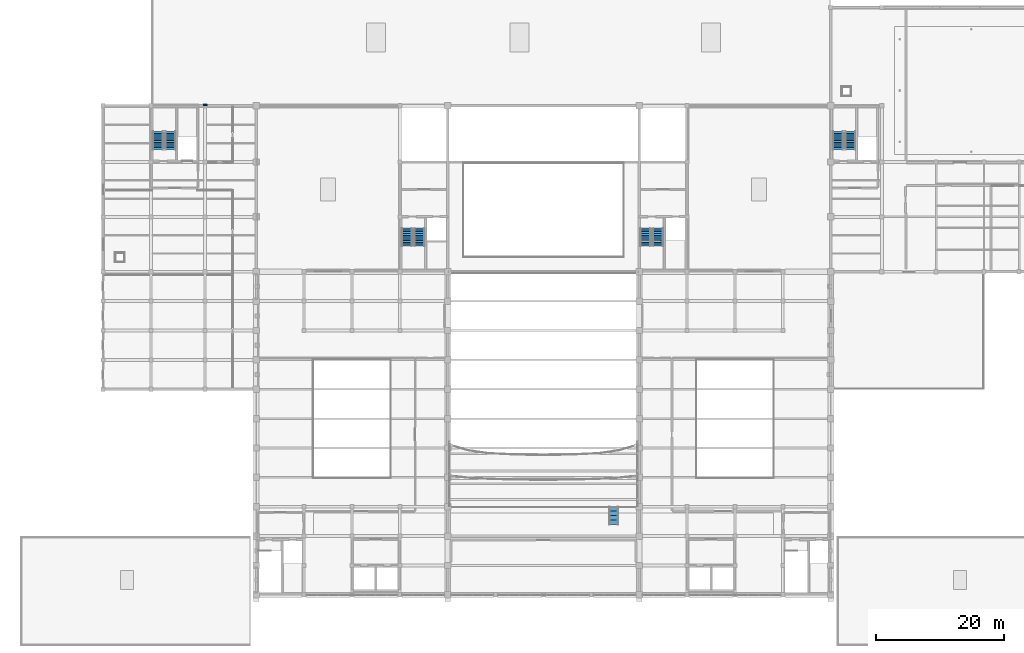
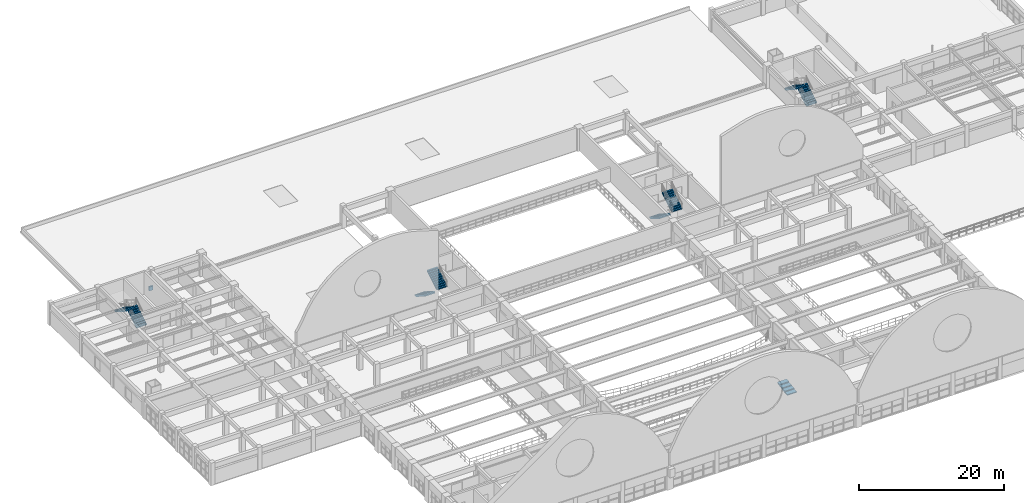
# One storey, part 63 of 74: 9 stair flights, 1 wall, 5 elements without a shape of their own.
"""IFC4 building model written with IfcOpenShell, lengths in metres."""

from ifc_helpers import new_model, si_unit, direction, frame, frame_2d, origin, place, context, subcontext, project, spatial, polyline, rectangle, outline, extrude, material, layer, layer_set, type_object, element, aggregate, save


model = new_model("IFC4")

# Units and contexts
model_context = context("Model", 3, precision=1e-05, world=origin(), true_north=direction((0.0, 1.0)))
body_context = subcontext(model_context, "Body", "Model", "MODEL_VIEW")
ifc_project = project(units=[si_unit("LENGTHUNIT", "METRE"), si_unit("AREAUNIT", "SQUARE_METRE"), si_unit("VOLUMEUNIT", "CUBIC_METRE"), si_unit("PLANEANGLEUNIT", "RADIAN"), si_unit("MASSUNIT", "GRAM", prefix="KILO")], contexts=[model_context])

# Site, building, storey
site_placement = place(None, origin())
site = spatial("IfcSite", under=ifc_project, at=site_placement, CompositionType="ELEMENT")
building_placement = place(site_placement, origin())
building = spatial("IfcBuilding", under=site, at=building_placement, Name="Muzn Square Opera House", CompositionType="ELEMENT")
storey_placement = place(building_placement, frame((0.0, 0.0, 14.199951171875)))
storey = spatial("IfcBuildingStorey", under=building, at=storey_placement, Name="L03", CompositionType="ELEMENT", Elevation=14.199951171875)

# Wall
ifc_material_1 = material(Name="Precast concrete C40/50", Category="concrete")
ifc_layer = layer(ifc_material_1, 0.239990234375, Name="Precast concrete C40/50", Category="concrete")
ifc_layer_set = layer_set([ifc_layer], Name="Precast concrete C40/50")
wall_type = type_object("IfcWallType", Name="Roof Parapet Wall 240mm", PredefinedType="PARAPET", material=ifc_layer_set)
wall_placement = place(storey_placement, frame((34.695068359375, 98.75, 0.0), z_axis=(0.0, 0.0, 1.0), x_axis=(1.0, 0.0, 0.0)))
element("IfcWall", 1, at=wall_placement, inside=storey, type_object=wall_type, Name="Roof Parapet ROOF-L03-REAR-S", PredefinedType="PARAPET", context=body_context, shape_type="SweptSolid", body=[
    extrude(rectangle(XDim=0.60986328125, YDim=0.239990234375, at=frame_2d((0.304931640625, 0.0))), origin(), (0.0, 0.0, 1.0), 0.650146484375),
])

# Stair, stair flights
ifc_material_2 = material(Name="Concrete C40/50", Category="concrete")
stair_type_1 = type_object("IfcStairType", Name="Core Escape Dogleg Stair", PredefinedType="HALF_TURN_STAIR", material=ifc_material_2)
stair_1_placement = place(storey_placement, origin())
stair_1 = element("IfcStair", 2, at=stair_1_placement, inside=storey, type_object=stair_type_1, Name="L03 Escape Stair ST-1", PredefinedType="HALF_TURN_STAIR")
stair_flight_type_1 = type_object("IfcStairFlightType", Name="Core Stair Flight 1660mm", PredefinedType="STRAIGHT", material=ifc_material_2)
stair_flight_1_placement = place(storey_placement, frame((66.6298828125, 79.43994140625, 0.0), z_axis=(0.0, 0.0, 1.0), x_axis=(0.0, -1.0, 0.0)))
stair_flight_1 = element("IfcStairFlight", 3, at=stair_flight_1_placement, type_object=stair_flight_type_1, Name="ST-1 flight 1", NumberOfRisers=11, NumberOfTreads=10, PredefinedType="STRAIGHT", RiserHeight=0.172727273, TreadLength=0.28, context=body_context, shape_type="SweptSolid", body=[
    extrude(outline(polyline([(0.0, 0.0), (0.0, 0.172607421875), (0.280029296875, 0.172607421875), (0.280029296875, 0.345458984375), (0.56005859375, 0.345458984375), (0.56005859375, 0.51806640625), (0.840087890625, 0.51806640625), (0.840087890625, 0.69091796875), (1.1201171875, 0.69091796875), (1.1201171875, 0.863525390625), (1.39990234375, 0.863525390625), (1.39990234375, 1.036376953125), (1.679931640625, 1.036376953125), (1.679931640625, 1.208984375), (1.9599609375, 1.208984375), (1.9599609375, 1.3818359375), (2.239990234375, 1.3818359375), (2.239990234375, 1.554443359375), (2.52001953125, 1.554443359375), (2.52001953125, 1.727294921875), (2.800048828125, 1.727294921875), (2.800048828125, 1.89990234375), (2.800048828125, 1.515869140625), (0.3427734375, 0.0), (0.0, 0.0)])), frame((0.0, 0.830078125, 0.0), z_axis=(0.0, -1.0, 0.0), x_axis=(1.0, 0.0, 0.0)), (0.0, 0.0, 1.0), 1.659912109375),
])
stair_flight_2_placement = place(storey_placement, frame((68.570068359375, 76.639892578125, 1.900146484375), z_axis=(0.0, 0.0, 1.0), x_axis=(0.0, 1.0, 0.0)))
stair_flight_2 = element("IfcStairFlight", 4, at=stair_flight_2_placement, type_object=stair_flight_type_1, Name="ST-1 flight 2", NumberOfRisers=11, NumberOfTreads=10, PredefinedType="STRAIGHT", RiserHeight=0.172727273, TreadLength=0.28, context=body_context, shape_type="SweptSolid", body=[
    extrude(outline(polyline([(0.0, 0.0), (0.0, 0.172607421875), (0.280029296875, 0.172607421875), (0.280029296875, 0.345458984375), (0.56005859375, 0.345458984375), (0.56005859375, 0.51806640625), (0.840087890625, 0.51806640625), (0.840087890625, 0.69091796875), (1.1201171875, 0.69091796875), (1.1201171875, 0.863525390625), (1.39990234375, 0.863525390625), (1.39990234375, 1.036376953125), (1.679931640625, 1.036376953125), (1.679931640625, 1.208984375), (1.9599609375, 1.208984375), (1.9599609375, 1.3818359375), (2.239990234375, 1.3818359375), (2.239990234375, 1.554443359375), (2.52001953125, 1.554443359375), (2.52001953125, 1.727294921875), (2.800048828125, 1.727294921875), (2.800048828125, 1.89990234375), (2.800048828125, 1.515869140625), (0.3427734375, 0.0), (0.0, 0.0)])), frame((0.0, 0.830078125, 0.0), z_axis=(0.0, -1.0, 0.0), x_axis=(1.0, 0.0, 0.0)), (0.0, 0.0, 1.0), 1.659912109375),
])
aggregate(stair_1, [stair_flight_1, stair_flight_2])

stair_2_placement = place(storey_placement, origin())
stair_2 = element("IfcStair", 5, at=stair_2_placement, inside=storey, type_object=stair_type_1, Name="L03 Escape Stair ST-2", PredefinedType="HALF_TURN_STAIR")
stair_flight_3_placement = place(storey_placement, frame((104.0, 79.43994140625, 0.0), z_axis=(0.0, 0.0, 1.0), x_axis=(0.0, -1.0, 0.0)))
stair_flight_3 = element("IfcStairFlight", 6, at=stair_flight_3_placement, type_object=stair_flight_type_1, Name="ST-2 flight 1", NumberOfRisers=11, NumberOfTreads=10, PredefinedType="STRAIGHT", RiserHeight=0.172727273, TreadLength=0.28, context=body_context, shape_type="SweptSolid", body=[
    extrude(outline(polyline([(0.0, 0.0), (0.0, 0.172607421875), (0.280029296875, 0.172607421875), (0.280029296875, 0.345458984375), (0.56005859375, 0.345458984375), (0.56005859375, 0.51806640625), (0.840087890625, 0.51806640625), (0.840087890625, 0.69091796875), (1.1201171875, 0.69091796875), (1.1201171875, 0.863525390625), (1.39990234375, 0.863525390625), (1.39990234375, 1.036376953125), (1.679931640625, 1.036376953125), (1.679931640625, 1.208984375), (1.9599609375, 1.208984375), (1.9599609375, 1.3818359375), (2.239990234375, 1.3818359375), (2.239990234375, 1.554443359375), (2.52001953125, 1.554443359375), (2.52001953125, 1.727294921875), (2.800048828125, 1.727294921875), (2.800048828125, 1.89990234375), (2.800048828125, 1.515869140625), (0.3427734375, 0.0), (0.0, 0.0)])), frame((0.0, 0.830078125, 0.0), z_axis=(0.0, -1.0, 0.0), x_axis=(1.0, 0.0, 0.0)), (0.0, 0.0, 1.0), 1.659912109375),
])
stair_flight_4_placement = place(storey_placement, frame((105.93994140625, 76.639892578125, 1.900146484375), z_axis=(0.0, 0.0, 1.0), x_axis=(0.0, 1.0, 0.0)))
stair_flight_4 = element("IfcStairFlight", 7, at=stair_flight_4_placement, type_object=stair_flight_type_1, Name="ST-2 flight 2", NumberOfRisers=11, NumberOfTreads=10, PredefinedType="STRAIGHT", RiserHeight=0.172727273, TreadLength=0.28, context=body_context, shape_type="SweptSolid", body=[
    extrude(outline(polyline([(0.0, 0.0), (0.0, 0.172607421875), (0.280029296875, 0.172607421875), (0.280029296875, 0.345458984375), (0.56005859375, 0.345458984375), (0.56005859375, 0.51806640625), (0.840087890625, 0.51806640625), (0.840087890625, 0.69091796875), (1.1201171875, 0.69091796875), (1.1201171875, 0.863525390625), (1.39990234375, 0.863525390625), (1.39990234375, 1.036376953125), (1.679931640625, 1.036376953125), (1.679931640625, 1.208984375), (1.9599609375, 1.208984375), (1.9599609375, 1.3818359375), (2.239990234375, 1.3818359375), (2.239990234375, 1.554443359375), (2.52001953125, 1.554443359375), (2.52001953125, 1.727294921875), (2.800048828125, 1.727294921875), (2.800048828125, 1.89990234375), (2.800048828125, 1.515869140625), (0.3427734375, 0.0), (0.0, 0.0)])), frame((0.0, 0.830078125, 0.0), z_axis=(0.0, -1.0, 0.0), x_axis=(1.0, 0.0, 0.0)), (0.0, 0.0, 1.0), 1.659912109375),
])
aggregate(stair_2, [stair_flight_3, stair_flight_4])

stair_3_placement = place(storey_placement, origin())
stair_3 = element("IfcStair", 8, at=stair_3_placement, inside=storey, type_object=stair_type_1, Name="L03 Escape Stair ST-5", PredefinedType="HALF_TURN_STAIR")
stair_flight_5_placement = place(storey_placement, frame((136.070068359375, 91.760009765625, 0.0), z_axis=(0.0, 0.0, 1.0), x_axis=(0.0, 1.0, 0.0)))
stair_flight_5 = element("IfcStairFlight", 9, at=stair_flight_5_placement, type_object=stair_flight_type_1, Name="ST-5 flight 1", NumberOfRisers=11, NumberOfTreads=10, PredefinedType="STRAIGHT", RiserHeight=0.172727273, TreadLength=0.28, context=body_context, shape_type="SweptSolid", body=[
    extrude(outline(polyline([(0.0, 0.0), (0.0, 0.172607421875), (0.280029296875, 0.172607421875), (0.280029296875, 0.345458984375), (0.56005859375, 0.345458984375), (0.56005859375, 0.51806640625), (0.840087890625, 0.51806640625), (0.840087890625, 0.69091796875), (1.1201171875, 0.69091796875), (1.1201171875, 0.863525390625), (1.39990234375, 0.863525390625), (1.39990234375, 1.036376953125), (1.679931640625, 1.036376953125), (1.679931640625, 1.208984375), (1.9599609375, 1.208984375), (1.9599609375, 1.3818359375), (2.239990234375, 1.3818359375), (2.239990234375, 1.554443359375), (2.52001953125, 1.554443359375), (2.52001953125, 1.727294921875), (2.800048828125, 1.727294921875), (2.800048828125, 1.89990234375), (2.800048828125, 1.515869140625), (0.3427734375, 0.0), (0.0, 0.0)])), frame((0.0, 0.830078125, 0.0), z_axis=(0.0, -1.0, 0.0), x_axis=(1.0, 0.0, 0.0)), (0.0, 0.0, 1.0), 1.659912109375),
])
stair_flight_6_placement = place(storey_placement, frame((134.1298828125, 94.56005859375, 1.900146484375), z_axis=(0.0, 0.0, 1.0), x_axis=(0.0, -1.0, 0.0)))
stair_flight_6 = element("IfcStairFlight", 10, at=stair_flight_6_placement, type_object=stair_flight_type_1, Name="ST-5 flight 2", NumberOfRisers=11, NumberOfTreads=10, PredefinedType="STRAIGHT", RiserHeight=0.172727273, TreadLength=0.28, context=body_context, shape_type="SweptSolid", body=[
    extrude(outline(polyline([(0.0, 0.0), (0.0, 0.172607421875), (0.280029296875, 0.172607421875), (0.280029296875, 0.345458984375), (0.56005859375, 0.345458984375), (0.56005859375, 0.51806640625), (0.840087890625, 0.51806640625), (0.840087890625, 0.69091796875), (1.1201171875, 0.69091796875), (1.1201171875, 0.863525390625), (1.39990234375, 0.863525390625), (1.39990234375, 1.036376953125), (1.679931640625, 1.036376953125), (1.679931640625, 1.208984375), (1.9599609375, 1.208984375), (1.9599609375, 1.3818359375), (2.239990234375, 1.3818359375), (2.239990234375, 1.554443359375), (2.52001953125, 1.554443359375), (2.52001953125, 1.727294921875), (2.800048828125, 1.727294921875), (2.800048828125, 1.89990234375), (2.800048828125, 1.515869140625), (0.3427734375, 0.0), (0.0, 0.0)])), frame((0.0, 0.830078125, 0.0), z_axis=(0.0, -1.0, 0.0), x_axis=(1.0, 0.0, 0.0)), (0.0, 0.0, 1.0), 1.659912109375),
])
aggregate(stair_3, [stair_flight_5, stair_flight_6])

stair_4_placement = place(storey_placement, origin())
stair_4 = element("IfcStair", 11, at=stair_4_placement, inside=storey, type_object=stair_type_1, Name="L03 Escape Stair ST-6", PredefinedType="HALF_TURN_STAIR")
stair_flight_7_placement = place(storey_placement, frame((29.570068359375, 91.760009765625, 0.0), z_axis=(0.0, 0.0, 1.0), x_axis=(0.0, 1.0, 0.0)))
stair_flight_7 = element("IfcStairFlight", 12, at=stair_flight_7_placement, type_object=stair_flight_type_1, Name="ST-6 flight 1", NumberOfRisers=11, NumberOfTreads=10, PredefinedType="STRAIGHT", RiserHeight=0.172727273, TreadLength=0.28, context=body_context, shape_type="SweptSolid", body=[
    extrude(outline(polyline([(0.0, 0.0), (0.0, 0.172607421875), (0.280029296875, 0.172607421875), (0.280029296875, 0.345458984375), (0.56005859375, 0.345458984375), (0.56005859375, 0.51806640625), (0.840087890625, 0.51806640625), (0.840087890625, 0.69091796875), (1.1201171875, 0.69091796875), (1.1201171875, 0.863525390625), (1.39990234375, 0.863525390625), (1.39990234375, 1.036376953125), (1.679931640625, 1.036376953125), (1.679931640625, 1.208984375), (1.9599609375, 1.208984375), (1.9599609375, 1.3818359375), (2.239990234375, 1.3818359375), (2.239990234375, 1.554443359375), (2.52001953125, 1.554443359375), (2.52001953125, 1.727294921875), (2.800048828125, 1.727294921875), (2.800048828125, 1.89990234375), (2.800048828125, 1.515869140625), (0.3427734375, 0.0), (0.0, 0.0)])), frame((0.0, 0.830078125, 0.0), z_axis=(0.0, -1.0, 0.0), x_axis=(1.0, 0.0, 0.0)), (0.0, 0.0, 1.0), 1.659912109375),
])
stair_flight_8_placement = place(storey_placement, frame((27.6298828125, 94.56005859375, 1.900146484375), z_axis=(0.0, 0.0, 1.0), x_axis=(0.0, -1.0, 0.0)))
stair_flight_8 = element("IfcStairFlight", 13, at=stair_flight_8_placement, type_object=stair_flight_type_1, Name="ST-6 flight 2", NumberOfRisers=11, NumberOfTreads=10, PredefinedType="STRAIGHT", RiserHeight=0.172727273, TreadLength=0.28, context=body_context, shape_type="SweptSolid", body=[
    extrude(outline(polyline([(0.0, 0.0), (0.0, 0.172607421875), (0.280029296875, 0.172607421875), (0.280029296875, 0.345458984375), (0.56005859375, 0.345458984375), (0.56005859375, 0.51806640625), (0.840087890625, 0.51806640625), (0.840087890625, 0.69091796875), (1.1201171875, 0.69091796875), (1.1201171875, 0.863525390625), (1.39990234375, 0.863525390625), (1.39990234375, 1.036376953125), (1.679931640625, 1.036376953125), (1.679931640625, 1.208984375), (1.9599609375, 1.208984375), (1.9599609375, 1.3818359375), (2.239990234375, 1.3818359375), (2.239990234375, 1.554443359375), (2.52001953125, 1.554443359375), (2.52001953125, 1.727294921875), (2.800048828125, 1.727294921875), (2.800048828125, 1.89990234375), (2.800048828125, 1.515869140625), (0.3427734375, 0.0), (0.0, 0.0)])), frame((0.0, 0.830078125, 0.0), z_axis=(0.0, -1.0, 0.0), x_axis=(1.0, 0.0, 0.0)), (0.0, 0.0, 1.0), 1.659912109375),
])
aggregate(stair_4, [stair_flight_7, stair_flight_8])

# Stair, stair flight
stair_type_2 = type_object("IfcStairType", Name="Auditorium Vomitory Stair", PredefinedType="STRAIGHT_RUN_STAIR", material=ifc_material_2)
stair_5_placement = place(storey_placement, origin())
stair_5 = element("IfcStair", 14, at=stair_5_placement, inside=storey, type_object=stair_type_2, Name="Vomitory Stair VS-08", PredefinedType="STRAIGHT_RUN_STAIR")
stair_flight_type_2 = type_object("IfcStairFlightType", Name="Vomitory Stair Flight 1500mm", PredefinedType="STRAIGHT", material=ifc_material_2)
stair_flight_9_placement = place(storey_placement, frame((99.0, 33.0, 0.0), z_axis=(0.0, 0.0, 1.0), x_axis=(0.0, 1.0, 0.0)))
stair_flight_9 = element("IfcStairFlight", 15, at=stair_flight_9_placement, type_object=stair_flight_type_2, Name="VS-08 flight 1", NumberOfRisers=5, NumberOfTreads=4, PredefinedType="STRAIGHT", RiserHeight=0.144, TreadLength=0.7, context=body_context, shape_type="SweptSolid", body=[
    extrude(outline(polyline([(0.0, 0.0), (0.0, 0.14404296875), (0.699951171875, 0.14404296875), (0.699951171875, 0.2880859375), (1.39990234375, 0.2880859375), (1.39990234375, 0.431884765625), (2.10009765625, 0.431884765625), (2.10009765625, 0.575927734375), (2.800048828125, 0.575927734375), (2.800048828125, 0.719970703125), (2.800048828125, 0.412841796875), (0.793701171875, 0.0), (0.0, 0.0)])), frame((0.0, 0.75, 0.0), z_axis=(0.0, -1.0, 0.0), x_axis=(1.0, 0.0, 0.0)), (0.0, 0.0, 1.0), 1.5),
])
aggregate(stair_5, [stair_flight_9])

save(model, "model.ifc")
